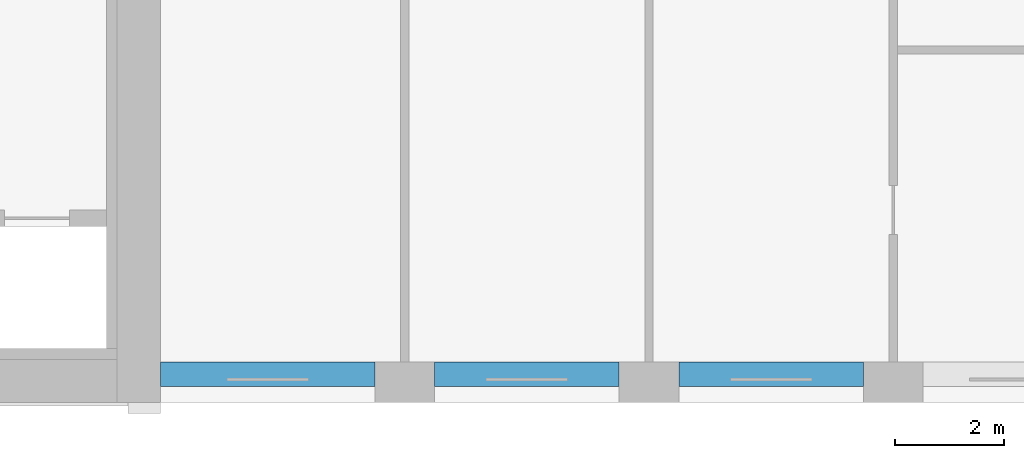
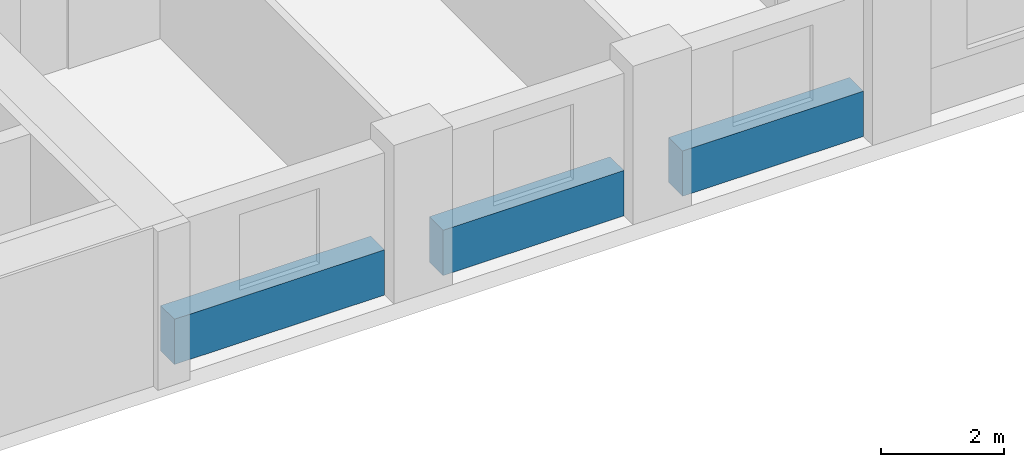
# One storey, part 3 of 16: 3 beams.
"""IFC4 building model written with IfcOpenShell, lengths in metres."""

import ifcopenshell
import ifcopenshell.guid

model = None  # the IFC model being written
_history = None  # IfcOwnerHistory: only IFC2X3 demands one
_inside = {}  # id of a spatial element -> (the spatial element, [elements in it])
_under = {}  # id of a project, library or spatial element -> (it, [spatial elements below it])
_declared = {}  # id of a project -> (the project, [libraries it declares])
_typed = {}  # id of a type object -> (the type object, [elements of that type])
_made_of = {}  # id of a material, layer set ... -> (it, [elements and type objects made of it])


def new_model(schema):
    """Start an empty IFC model of exactly this schema.

    Asked for "IFC4X3", IfcOpenShell would pick the latest addendum, in which some entities
    have other attributes; the version numbers below select the first issue.
    IFC2X3 requires an IfcOwnerHistory on every rooted entity: one is made here for all.
    """
    global model, _history
    if schema == "IFC4X3":
        model = ifcopenshell.file(schema_version=(4, 3, 0, 0))
    else:
        model = ifcopenshell.file(schema=schema)
    _inside.clear()
    _under.clear()
    _declared.clear()
    _typed.clear()
    _made_of.clear()
    _history = None
    if model.schema == "IFC2X3":
        org = make("IfcOrganization", Name="unknown")
        user = make(
            "IfcPersonAndOrganization",
            ThePerson=make("IfcPerson", FamilyName="unknown"),
            TheOrganization=org,
        )
        app = make(
            "IfcApplication",
            ApplicationDeveloper=org,
            Version="unknown",
            ApplicationFullName="unknown",
            ApplicationIdentifier="unknown",
        )
        _history = make(
            "IfcOwnerHistory",
            OwningUser=user,
            OwningApplication=app,
            ChangeAction="ADDED",
            CreationDate=0,
        )
    return model


def make(cls, **values):
    """One entity of the class cls with the attributes given. An attribute that is None is left unset."""
    return model.create_entity(
        cls, **{name: value for name, value in values.items() if value is not None}
    )


def rooted(cls, **values):
    """An entity with a GlobalId (a new one), such as an element, a storey or a relation."""
    return make(cls, GlobalId=ifcopenshell.guid.new(), OwnerHistory=_history, **values)


def si_unit(unit_type, name, prefix=None):
    """IfcSIUnit, for example si_unit("LENGTHUNIT", "METRE", prefix="MILLI")."""
    return make("IfcSIUnit", UnitType=unit_type, Prefix=prefix, Name=name)


def assignment(units):
    """IfcUnitAssignment: the units of a project."""
    return None if units is None else make("IfcUnitAssignment", Units=units)


def point(xyz):
    """IfcCartesianPoint."""
    return None if xyz is None else make("IfcCartesianPoint", Coordinates=xyz)


def direction(xyz):
    """IfcDirection."""
    return None if xyz is None else make("IfcDirection", DirectionRatios=xyz)


def frame(location, z_axis=None, x_axis=None):
    """IfcAxis2Placement3D, a coordinate frame: its origin and axes. An axis left out is left unset."""
    return make(
        "IfcAxis2Placement3D",
        Location=point(location),
        Axis=direction(z_axis),
        RefDirection=direction(x_axis),
    )


def frame_2d(location, x_axis=None):
    """IfcAxis2Placement2D, a coordinate frame in the plane: its origin and x axis."""
    return make(
        "IfcAxis2Placement2D", Location=point(location), RefDirection=direction(x_axis)
    )


def origin():
    """The frame at (0, 0, 0) with its axes left unset."""
    return frame((0.0, 0.0, 0.0))


def origin_2d():
    """The frame at (0, 0) in the plane with its x axis left unset."""
    return frame_2d((0.0, 0.0))


def place(relative_to, where):
    """IfcLocalPlacement: puts the frame where relative to a parent placement (None: the world)."""
    return make(
        "IfcLocalPlacement", PlacementRelTo=relative_to, RelativePlacement=where
    )


def context(
    kind, dimensions, precision=None, world=None, true_north=None, identifier=None
):
    """IfcGeometricRepresentationContext, for example the 3D "Model" context."""
    return make(
        "IfcGeometricRepresentationContext",
        ContextIdentifier=identifier,
        ContextType=kind,
        CoordinateSpaceDimension=dimensions,
        Precision=precision,
        WorldCoordinateSystem=world,
        TrueNorth=true_north,
    )


def subcontext(parent, identifier, kind, view, scale=None):
    """IfcGeometricRepresentationSubContext, for example "Body" below "Model"."""
    return make(
        "IfcGeometricRepresentationSubContext",
        ContextIdentifier=identifier,
        ContextType=kind,
        ParentContext=parent,
        TargetScale=scale,
        TargetView=view,
    )


def project(units=None, contexts=None):
    """IfcProject with its units and contexts."""
    return rooted(
        "IfcProject",
        Name="project",
        RepresentationContexts=contexts,
        UnitsInContext=assignment(units),
    )


def spatial(cls, under=None, at=None, **own):
    """A site, building, storey or space (cls), placed at a placement, below another one or the project."""
    s = rooted(cls, ObjectPlacement=at, **own)
    if under is not None:
        _under.setdefault(under.id(), (under, []))[1].append(s)
    return s


def profile(cls, at=None, kind="AREA", **sizes):
    """A parametric profile (cls). Its sizes go by their IFC names, for example OverallWidth=200.0."""
    return make(cls, ProfileType=kind, Position=at, **sizes)


def rectangle(**sizes):
    """IfcRectangleProfileDef."""
    return profile("IfcRectangleProfileDef", **sizes)


def extrude(swept, where, along, depth):
    """IfcExtrudedAreaSolid: the profile swept, set in the frame where, extruded along a direction by depth."""
    return make(
        "IfcExtrudedAreaSolid",
        SweptArea=swept,
        Position=where,
        ExtrudedDirection=direction(along),
        Depth=depth,
    )


def shape(context_of_items, identifier, shape_type, items):
    """IfcShapeRepresentation: the items that make up one representation, for example the "Body"."""
    return make(
        "IfcShapeRepresentation",
        ContextOfItems=context_of_items,
        RepresentationIdentifier=identifier,
        RepresentationType=shape_type,
        Items=items,
    )


def material(Name=None, Category=None):
    """IfcMaterial."""
    return make("IfcMaterial", Name=Name, Category=Category)


def material_profile(
    of_material, cross_section, Name=None, Category=None, Priority=None
):
    """IfcMaterialProfile: a cross section and its material."""
    return make(
        "IfcMaterialProfile",
        Name=Name,
        Material=of_material,
        Profile=cross_section,
        Priority=Priority,
        Category=Category,
    )


def profile_set(profiles, Name=None, composite=None):
    """IfcMaterialProfileSet."""
    return make(
        "IfcMaterialProfileSet",
        Name=Name,
        MaterialProfiles=profiles,
        CompositeProfile=composite,
    )


def made_of(thing, what):
    """Note that an element or type object is made of a material, layer set ...; save() writes the relation."""
    if what is not None:
        _made_of.setdefault(what.id(), (what, []))[1].append(thing)
    return thing


def type_object(cls, material=None, **own):
    """A type object (cls), such as IfcWallType, which elements share."""
    return made_of(rooted(cls, **own), material)


def element(
    cls,
    number,
    at=None,
    inside=None,
    cuts=None,
    type_object=None,
    material=None,
    context=None,
    identifier="Body",
    shape_type=None,
    held_by="IfcProductDefinitionShape",
    body=None,
    shapes=None,
    **own,
):
    """One element of the class cls, such as IfcWall. Its Tag is "e" and its number.

    at: its placement. inside: the storey or other place that contains it. cuts: it is an
    opening in that element (IfcRelVoidsElement). A single representation is given by context,
    identifier, shape_type and body (its items); several are given by shapes. held_by: the class
    of the entity that holds the representations. save() writes the other relations.
    """
    e = rooted(cls, Tag="e%d" % number, ObjectPlacement=at, **own)
    if body is not None:
        shapes = [shape(context, identifier, shape_type, body)]
    if shapes is not None:
        e.Representation = make(held_by, Representations=shapes)
    if inside is not None:
        _inside.setdefault(inside.id(), (inside, []))[1].append(e)
    if cuts is not None:
        rooted(
            "IfcRelVoidsElement", RelatingBuildingElement=cuts, RelatedOpeningElement=e
        )
    if type_object is not None:
        _typed.setdefault(type_object.id(), (type_object, []))[1].append(e)
    return made_of(e, material)


def aggregate(whole, parts):
    """IfcRelAggregates: a whole, such as a stair, and the parts it consists of."""
    return rooted("IfcRelAggregates", RelatingObject=whole, RelatedObjects=parts)


def save(model, path):
    """Write the relations noted so far, then the file.

    IfcRelAggregates (storeys below a building ...), IfcRelContainedInSpatialStructure (elements
    in a storey), IfcRelDefinesByType, IfcRelAssociatesMaterial and IfcRelDeclares: one each for
    every whole, place, type object, material and project.
    """
    for whole, parts in _under.values():
        aggregate(whole, parts)
    for where, things in _inside.values():
        rooted(
            "IfcRelContainedInSpatialStructure",
            RelatedElements=things,
            RelatingStructure=where,
        )
    for kind, things in _typed.values():
        rooted("IfcRelDefinesByType", RelatedObjects=things, RelatingType=kind)
    for what, things in _made_of.values():
        rooted("IfcRelAssociatesMaterial", RelatedObjects=things, RelatingMaterial=what)
    for by, libraries in _declared.values():
        rooted("IfcRelDeclares", RelatingContext=by, RelatedDefinitions=libraries)
    model.write(path)


model = new_model("IFC4")

# Units and contexts
model_context = context("Model", 3, precision=1e-05, world=origin(), true_north=direction((0.0, 1.0)))
body_context = subcontext(model_context, "Body", "Model", "MODEL_VIEW")
ifc_project = project(units=[si_unit("LENGTHUNIT", "METRE"), si_unit("AREAUNIT", "SQUARE_METRE"), si_unit("VOLUMEUNIT", "CUBIC_METRE"), si_unit("PLANEANGLEUNIT", "RADIAN"), si_unit("MASSUNIT", "GRAM", prefix="KILO")], contexts=[model_context])

# Site, building, storey
site_placement = place(None, origin())
site = spatial("IfcSite", under=ifc_project, at=site_placement, CompositionType="ELEMENT")
building_placement = place(site_placement, origin())
building = spatial("IfcBuilding", under=site, at=building_placement, Name="Brigalow Station Residences", CompositionType="ELEMENT")
storey_placement = place(building_placement, frame((0.0, 0.0, 115.050048828125)))
storey = spatial("IfcBuildingStorey", under=building, at=storey_placement, Name="L33", CompositionType="ELEMENT", Elevation=115.050048828125)

# Beams
ifc_material = material(Name="Concrete C65", Category="concrete")
ifc_material_profile = material_profile(ifc_material, rectangle(XDim=0.449951171875, YDim=0.89990234375, at=origin_2d()), Name="RC450x900")
ifc_profile_set = profile_set([ifc_material_profile], Name="Concrete C65")
beam_type = type_object("IfcBeamType", Name="SPANDREL BEAM 450x900 C65", PredefinedType="SPANDREL", material=ifc_profile_set)
beam_placement = place(storey_placement, frame((54.0, 0.52490234375, 0.449951171875), z_axis=(1.0, 0.0, 0.0), x_axis=(0.0, 1.0, 0.0)))
element("IfcBeam", 1, at=beam_placement, inside=storey, type_object=beam_type, Name="L33/spandrel/W-L33-4", PredefinedType="SPANDREL", context=body_context, shape_type="SweptSolid", body=[
    extrude(rectangle(XDim=0.449951171875, YDim=0.89990234375, at=origin_2d()), origin(), (0.0, 0.0, 1.0), 3.949951171875),
])
for number, where, z_axis, x_axis, name in (
    (2, (59.050048828125, 0.52490234375, 0.449951171875), (1.0, 0.0, 0.0), (0.0, 1.0, 0.0), "L33/spandrel/W-L33-5"),
    (3, (63.550048828125, 0.52490234375, 0.449951171875), (1.0, 0.0, 0.0), (0.0, 1.0, 0.0), "L33/spandrel/W-L33-6"),
):
    element("IfcBeam", number, at=place(storey_placement, frame(where, z_axis=z_axis, x_axis=x_axis)), inside=storey, type_object=beam_type, Name=name, PredefinedType="SPANDREL", context=body_context, shape_type="SweptSolid", body=[
        extrude(rectangle(XDim=0.449951171875, YDim=0.89990234375, at=origin_2d()), origin(), (0.0, 0.0, 1.0), 3.39990234375),
    ])

save(model, "model.ifc")
